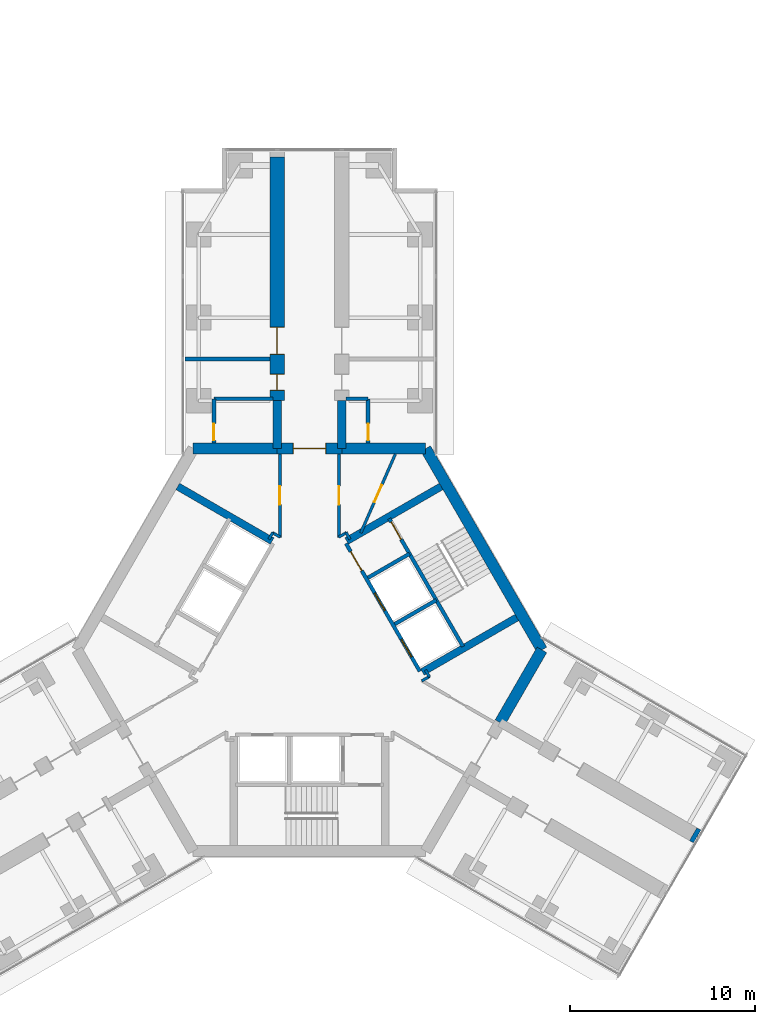
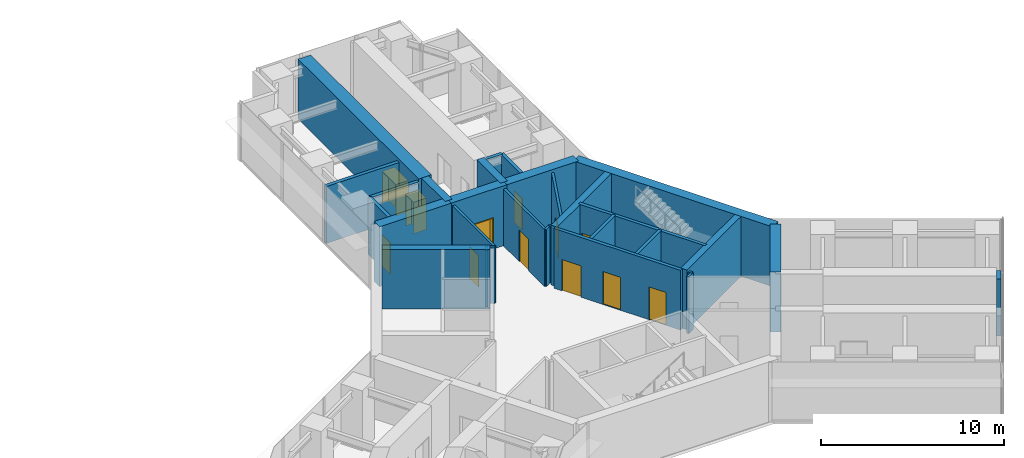
# One storey, part 19 of 21: 30 walls, 12 doors, 12 openings.
"""IFC4 building model written with IfcOpenShell, lengths in metres."""

from ifc_helpers import new_model, si_unit, direction, frame, frame_2d, origin, place, context, subcontext, project, spatial, rectangle, extrude, material, layer, layer_set, type_object, element, fill, save


model = new_model("IFC4")

# Units and contexts
model_context = context("Model", 3, precision=1e-05, world=origin(), true_north=direction((0.0, 1.0)))
body_context = subcontext(model_context, "Body", "Model", "MODEL_VIEW")
ifc_project = project(units=[si_unit("LENGTHUNIT", "METRE"), si_unit("AREAUNIT", "SQUARE_METRE"), si_unit("VOLUMEUNIT", "CUBIC_METRE"), si_unit("PLANEANGLEUNIT", "RADIAN"), si_unit("MASSUNIT", "GRAM", prefix="KILO")], contexts=[model_context])

# Site, building, storey
site_placement = place(None, origin())
site = spatial("IfcSite", under=ifc_project, at=site_placement, CompositionType="ELEMENT")
building_placement = place(site_placement, origin())
building = spatial("IfcBuilding", under=site, at=building_placement, Name="Upepo Twin Towers", CompositionType="ELEMENT")
storey_placement = place(building_placement, frame((0.0, 0.0, 105.5)))
storey = spatial("IfcBuildingStorey", under=building, at=storey_placement, Name="L25", CompositionType="ELEMENT", Elevation=105.5)

# Wall
ifc_material_1 = material(Name="Concrete blockwork, plastered both faces", Category="masonry")
ifc_layer_1 = layer(ifc_material_1, 0.215087890625)
ifc_layer_set_1 = layer_set([ifc_layer_1], Name="Blockwork partition 215")
wall_type_1 = type_object("IfcWallType", Name="Blockwork partition 215", PredefinedType="PARTITIONING", material=ifc_layer_set_1)
wall_1_placement = place(storey_placement, frame((56.35009765625, -2.25, 0.0), z_axis=(0.0, 0.0, 1.0), x_axis=(-1.0, 0.0, 0.0)))
element("IfcWall", 1, at=wall_1_placement, inside=storey, type_object=wall_type_1, Name="T2 partition AL at 15.75", PredefinedType="PARTITIONING", context=body_context, shape_type="SweptSolid", body=[
    extrude(rectangle(XDim=4.60009765625, YDim=0.215087890625, at=frame_2d((2.300048828125, 0.0))), origin(), (0.0, 0.0, 1.0), 3.800048828125),
])

# Wall, opening, door
wall_2_placement = place(storey_placement, frame((53.324951171875, -6.7919921875, 0.0), z_axis=(0.0, 0.0, 1.0), x_axis=(0.0, 1.0, 0.0)))
wall_2 = element("IfcWall", 2, at=wall_2_placement, inside=storey, type_object=wall_type_1, Name="T2 WC bay partition AL at 11.21", PredefinedType="PARTITIONING", context=body_context, shape_type="SweptSolid", body=[
    extrude(rectangle(XDim=2.39990234375, YDim=0.215087890625, at=frame_2d((1.199951171875, 0.0))), origin(), (0.0, 0.0, 1.0), 3.800048828125),
])
opening_1_placement = place(wall_2_placement, frame((0.14990234375, 0.0, 0.0)))
opening_1 = element("IfcOpeningElement", 3, at=opening_1_placement, cuts=wall_2, Name="Opening D14", PredefinedType="OPENING", context=body_context, shape_type="SweptSolid", body=[
    extrude(rectangle(XDim=0.89990234375, YDim=2.10009765625, at=frame_2d((0.449951171875, 1.050048828125))), frame((0.0, 0.117431640625, 0.0), z_axis=(0.0, -1.0, 0.0), x_axis=(1.0, 0.0, 0.0)), (0.0, 0.0, 1.0), 0.235107421875),
])
ifc_material_2 = material(Name="Timber doorset", Category="wood")
door_type_1 = type_object("IfcDoorType", Name="Office door 900 FD30", OperationType="SINGLE_SWING_LEFT", PredefinedType="DOOR", material=ifc_material_2)
door_1_placement = place(opening_1_placement, origin())
door_1 = element("IfcDoor", 4, at=door_1_placement, inside=storey, type_object=door_type_1, Name="T2 L25 WC bay inner room door", OperationType="SINGLE_SWING_LEFT", OverallHeight=2.10009765625, OverallWidth=0.89990234375, PredefinedType="DOOR", context=body_context, shape_type="SweptSolid", body=[
    extrude(rectangle(XDim=0.89990234375, YDim=2.10009765625, at=frame_2d((0.449951171875, 1.050048828125))), frame((0.0, 0.02490234375, 0.0), z_axis=(0.0, -1.0, 0.0), x_axis=(1.0, 0.0, 0.0)), (0.0, 0.0, 1.0), 0.050048828125),
])
fill(opening_1, door_1)

# Wall
wall_3_placement = place(storey_placement, frame((56.52490234375, -4.39208984375, 0.0), z_axis=(0.0, 0.0, 1.0), x_axis=(-1.0, 0.0, 0.0)))
element("IfcWall", 5, at=wall_3_placement, inside=storey, type_object=wall_type_1, Name="T2 WC bay partition AL end at 13.61", PredefinedType="PARTITIONING", context=body_context, shape_type="SweptSolid", body=[
    extrude(rectangle(XDim=3.199951171875, YDim=0.215087890625, at=frame_2d((1.60009765625, 0.0))), origin(), (0.0, 0.0, 1.0), 3.800048828125),
])

# Wall, opening, door
wall_4_placement = place(storey_placement, frame((61.675048828125, -6.7919921875, 0.0), z_axis=(0.0, 0.0, 1.0), x_axis=(0.0, 1.0, 0.0)))
wall_4 = element("IfcWall", 6, at=wall_4_placement, inside=storey, type_object=wall_type_1, Name="T2 WC bay partition AR at 11.21", PredefinedType="PARTITIONING", context=body_context, shape_type="SweptSolid", body=[
    extrude(rectangle(XDim=2.39990234375, YDim=0.215087890625, at=frame_2d((1.199951171875, 0.0))), origin(), (0.0, 0.0, 1.0), 3.800048828125),
])
opening_2_placement = place(wall_4_placement, frame((0.14990234375, 0.0, 0.0)))
opening_2 = element("IfcOpeningElement", 7, at=opening_2_placement, cuts=wall_4, Name="Opening D14", PredefinedType="OPENING", context=body_context, shape_type="SweptSolid", body=[
    extrude(rectangle(XDim=0.89990234375, YDim=2.10009765625, at=frame_2d((0.449951171875, 1.050048828125))), frame((0.0, 0.117431640625, 0.0), z_axis=(0.0, -1.0, 0.0), x_axis=(1.0, 0.0, 0.0)), (0.0, 0.0, 1.0), 0.235107421875),
])
door_2_placement = place(opening_2_placement, origin())
door_2 = element("IfcDoor", 8, at=door_2_placement, inside=storey, type_object=door_type_1, Name="T2 L25 WC bay inner room door", OperationType="SINGLE_SWING_LEFT", OverallHeight=2.10009765625, OverallWidth=0.89990234375, PredefinedType="DOOR", context=body_context, shape_type="SweptSolid", body=[
    extrude(rectangle(XDim=0.89990234375, YDim=2.10009765625, at=frame_2d((0.449951171875, 1.050048828125))), frame((0.0, 0.02490234375, 0.0), z_axis=(0.0, -1.0, 0.0), x_axis=(1.0, 0.0, 0.0)), (0.0, 0.0, 1.0), 0.050048828125),
])
fill(opening_2, door_2)

# Walls
wall_5_placement = place(storey_placement, frame((60.47509765625, -4.39208984375, 0.0), z_axis=(0.0, 0.0, 1.0), x_axis=(1.0, 0.0, 0.0)))
element("IfcWall", 9, at=wall_5_placement, inside=storey, type_object=wall_type_1, Name="T2 WC bay partition AR end at 13.61", PredefinedType="PARTITIONING", context=body_context, shape_type="SweptSolid", body=[
    extrude(rectangle(XDim=1.199951171875, YDim=0.215087890625, at=frame_2d((0.60009765625, 0.0))), origin(), (0.0, 0.0, 1.0), 3.800048828125),
])
ifc_material_3 = material(Name="Dense concrete blockwork", Category="masonry")
ifc_layer_2 = layer(ifc_material_3, 0.800048828125)
ifc_layer_set_2 = layer_set([ifc_layer_2], Name="Buttress closer 800, blockwork with fire-stopping to the curtain wall")
wall_type_2 = type_object("IfcWallType", Name="Buttress closer 800, blockwork with fire-stopping to the curtain wall", PredefinedType="PARTITIONING", material=ifc_layer_set_2)
wall_6_placement = place(storey_placement, frame((79.293701171875, -27.984375, 0.0), z_axis=(0.0, 0.0, 1.0), x_axis=(0.865827443207, -0.500342721131, 0.0)))
element("IfcWall", 10, at=wall_6_placement, inside=storey, type_object=wall_type_2, Name="T2 L25 wing C buttress closer L", PredefinedType="PARTITIONING", context=body_context, shape_type="SweptSolid", body=[
    extrude(rectangle(XDim=0.249755859375, YDim=0.800048828125, at=frame_2d((0.125, 0.0))), origin(), (0.0, 0.0, 1.0), 3.800048828125),
])
ifc_material_4 = material(Name="Concrete C60/75", Category="concrete")
ifc_layer_3 = layer(ifc_material_4, 0.449951171875)
ifc_layer_set_3 = layer_set([ifc_layer_3], Name="Concrete C60/75")
wall_type_3 = type_object("IfcWallType", Name="Buttress wall 450 RC", PredefinedType="SHEAR", material=ifc_layer_set_3)
for number, where, z_axis, x_axis, name in (
    (11, (56.75, -7.091552734375, 0.0), (0.0, 0.0, 1.0), (0.0, 1.0, 0.0), "T2 wing A buttress wall L"),
    (12, (60.25, -7.091552734375, 0.0), (0.0, 0.0, 1.0), (0.0, 1.0, 0.0), "T2 wing A buttress wall R"),
):
    element("IfcWall", number, at=place(storey_placement, frame(where, z_axis=z_axis, x_axis=x_axis)), inside=storey, type_object=wall_type_3, Name=name, PredefinedType="SHEAR", context=body_context, shape_type="SweptSolid", body=[
        extrude(rectangle(XDim=2.591552734375, YDim=0.449951171875, at=frame_2d((1.2958984375, 0.0))), origin(), (0.0, 0.0, 1.0), 4.0),
    ])

# Wall, openings, doors
ifc_material_5 = material(Name="Concrete C60/75", Category="concrete")
ifc_layer_4 = layer(ifc_material_5, 0.800048828125)
ifc_layer_set_4 = layer_set([ifc_layer_4], Name="Concrete C60/75")
wall_type_4 = type_object("IfcWallType", Name="Buttress wall 800 RC", PredefinedType="SHEAR", material=ifc_layer_set_4)
wall_7_placement = place(storey_placement, frame((56.75, -4.5, 0.0), z_axis=(0.0, 0.0, 1.0), x_axis=(0.0, 1.0, 0.0)))
wall_7 = element("IfcWall", 13, at=wall_7_placement, inside=storey, type_object=wall_type_4, Name="T2 wing A buttress wall L part 2", PredefinedType="SHEAR", context=body_context, shape_type="SweptSolid", body=[
    extrude(rectangle(XDim=13.199951171875, YDim=0.800048828125, at=frame_2d((6.60009765625, 0.0))), origin(), (0.0, 0.0, 1.0), 4.0),
])
opening_3_placement = place(wall_7_placement, frame((0.550048828125, 0.0, 0.0)))
opening_3 = element("IfcOpeningElement", 14, at=opening_3_placement, cuts=wall_7, Name="Opening D11", PredefinedType="OPENING", context=body_context, shape_type="SweptSolid", body=[
    extrude(rectangle(XDim=0.89990234375, YDim=2.10009765625, at=frame_2d((0.449951171875, 1.050048828125))), frame((0.0, 0.409912109375, 0.0), z_axis=(0.0, -1.0, 0.0), x_axis=(1.0, 0.0, 0.0)), (0.0, 0.0, 1.0), 0.820068359375),
])
opening_4_placement = place(wall_7_placement, frame((2.5, 0.0, 0.0)))
opening_4 = element("IfcOpeningElement", 15, at=opening_4_placement, cuts=wall_7, Name="Opening D13", PredefinedType="OPENING", context=body_context, shape_type="SweptSolid", body=[
    extrude(rectangle(XDim=1.5, YDim=2.10009765625, at=frame_2d((0.75, 1.050048828125))), frame((0.0, 0.409912109375, 0.0), z_axis=(0.0, -1.0, 0.0), x_axis=(1.0, 0.0, 0.0)), (0.0, 0.0, 1.0), 0.820068359375),
])
ifc_material_6 = material(Name="Timber doorset", Category="wood")
door_type_2 = type_object("IfcDoorType", Name="Double door 1500 FD30", OperationType="DOUBLE_DOOR_SINGLE_SWING", PredefinedType="DOOR", material=ifc_material_6)
door_3_placement = place(opening_4_placement, origin())
door_3 = element("IfcDoor", 16, at=door_3_placement, inside=storey, type_object=door_type_2, Name="T2 L25 moot court door", OperationType="DOUBLE_DOOR_SINGLE_SWING", OverallHeight=2.10009765625, OverallWidth=1.5, PredefinedType="DOOR", context=body_context, shape_type="SweptSolid", body=[
    extrude(rectangle(XDim=1.42, YDim=2.06009765625, at=frame_2d((0.75, 1.030029296875))), frame((0.0, 0.02490234375, 0.0), z_axis=(0.0, -1.0, 0.0), x_axis=(1.0, 0.0, 0.0)), (0.0, 0.0, 1.0), 0.050048828125),
    extrude(rectangle(XDim=0.04, YDim=2.10009765625, at=frame_2d((0.02001953125, 1.050048828125))), frame((0.0, 0.39990234375, 0.0), z_axis=(0.0, -1.0, 0.0), x_axis=(1.0, 0.0, 0.0)), (0.0, 0.0, 1.0), 0.799560546875),
    extrude(rectangle(XDim=0.04, YDim=2.10009765625, at=frame_2d((1.47998046875, 1.050048828125))), frame((0.0, 0.39990234375, 0.0), z_axis=(0.0, -1.0, 0.0), x_axis=(1.0, 0.0, 0.0)), (0.0, 0.0, 1.0), 0.799560546875),
    extrude(rectangle(XDim=1.42, YDim=0.04, at=frame_2d((0.75, 2.080078125))), frame((0.0, 0.39990234375, 0.0), z_axis=(0.0, -1.0, 0.0), x_axis=(1.0, 0.0, 0.0)), (0.0, 0.0, 1.0), 0.799560546875),
])
fill(opening_4, door_3)
ifc_material_7 = material(Name="Timber doorset", Category="wood")
door_type_3 = type_object("IfcDoorType", Name="Toilet door 900", OperationType="SINGLE_SWING_LEFT", PredefinedType="DOOR", material=ifc_material_7)
door_4_placement = place(opening_3_placement, origin())
door_4 = element("IfcDoor", 17, at=door_4_placement, inside=storey, type_object=door_type_3, Name="T2 L25 accessible wc door", OperationType="SINGLE_SWING_LEFT", OverallHeight=2.10009765625, OverallWidth=0.89990234375, PredefinedType="DOOR", context=body_context, shape_type="SweptSolid", body=[
    extrude(rectangle(XDim=0.81990234375, YDim=2.06009765625, at=frame_2d((0.449951171875, 1.030029296875))), frame((0.0, 0.02490234375, 0.0), z_axis=(0.0, -1.0, 0.0), x_axis=(1.0, 0.0, 0.0)), (0.0, 0.0, 1.0), 0.050048828125),
    extrude(rectangle(XDim=0.04, YDim=2.10009765625, at=frame_2d((0.02001953125, 1.050048828125))), frame((0.0, 0.39990234375, 0.0), z_axis=(0.0, -1.0, 0.0), x_axis=(1.0, 0.0, 0.0)), (0.0, 0.0, 1.0), 0.799560546875),
    extrude(rectangle(XDim=0.04, YDim=2.10009765625, at=frame_2d((0.8798828125, 1.050048828125))), frame((0.0, 0.39990234375, 0.0), z_axis=(0.0, -1.0, 0.0), x_axis=(1.0, 0.0, 0.0)), (0.0, 0.0, 1.0), 0.799560546875),
    extrude(rectangle(XDim=0.81990234375, YDim=0.04, at=frame_2d((0.449951171875, 2.080078125))), frame((0.0, 0.39990234375, 0.0), z_axis=(0.0, -1.0, 0.0), x_axis=(1.0, 0.0, 0.0)), (0.0, 0.0, 1.0), 0.799560546875),
])
fill(opening_3, door_4)

# Wall
ifc_material_8 = material(Name="Concrete C60/75", Category="concrete")
ifc_layer_5 = layer(ifc_material_8, 0.60009765625)
ifc_layer_set_5 = layer_set([ifc_layer_5], Name="Concrete C60/75")
wall_type_5 = type_object("IfcWallType", Name="Core wall 600 RC", PredefinedType="SHEAR", material=ifc_layer_set_5)
wall_8_placement = place(storey_placement, frame((64.7978515625, -7.091552734375, 0.0), z_axis=(0.0, 0.0, 1.0), x_axis=(-1.0, 0.0, 0.0)))
element("IfcWall", 18, at=wall_8_placement, inside=storey, type_object=wall_type_5, Name="T2 core wall 000 R", PredefinedType="SHEAR", context=body_context, shape_type="SweptSolid", body=[
    extrude(rectangle(XDim=4.5478515625, YDim=0.60009765625, at=frame_2d((2.27392578125, 0.0))), origin(), (0.0, 0.0, 1.0), 4.0),
])

# Wall, opening, door
wall_9_placement = place(storey_placement, frame((60.25, -7.091552734375, 0.0), z_axis=(0.0, 0.0, 1.0), x_axis=(-1.0, 0.0, 0.0)))
wall_9 = element("IfcWall", 19, at=wall_9_placement, inside=storey, type_object=wall_type_5, Name="T2 core wall 000", PredefinedType="SHEAR", context=body_context, shape_type="SweptSolid", body=[
    extrude(rectangle(XDim=3.5, YDim=0.60009765625, at=frame_2d((1.75, 0.0))), origin(), (0.0, 0.0, 1.0), 4.0),
])
opening_5_placement = place(wall_9_placement, frame((0.85009765625, 0.0, 0.0)))
opening_5 = element("IfcOpeningElement", 20, at=opening_5_placement, cuts=wall_9, Name="Opening D2", PredefinedType="OPENING", context=body_context, shape_type="SweptSolid", body=[
    extrude(rectangle(XDim=1.800048828125, YDim=2.10009765625, at=frame_2d((0.89990234375, 1.050048828125))), frame((0.0, 0.31005859375, 0.0), z_axis=(0.0, -1.0, 0.0), x_axis=(1.0, 0.0, 0.0)), (0.0, 0.0, 1.0), 0.6201171875),
])
ifc_material_9 = material(Name="Timber doorset", Category="wood")
door_type_4 = type_object("IfcDoorType", Name="Corridor double door 1800 FD60", OperationType="DOUBLE_DOOR_DOUBLE_SWING", PredefinedType="DOOR", material=ifc_material_9)
door_5_placement = place(opening_5_placement, origin())
door_5 = element("IfcDoor", 21, at=door_5_placement, inside=storey, type_object=door_type_4, Name="T2 L25 wing A corridor door", OperationType="DOUBLE_DOOR_DOUBLE_SWING", OverallHeight=2.10009765625, OverallWidth=1.800048828125, PredefinedType="DOOR", context=body_context, shape_type="SweptSolid", body=[
    extrude(rectangle(XDim=1.720048828125, YDim=2.06009765625, at=frame_2d((0.89990234375, 1.030029296875))), frame((0.0, 0.02490234375, 0.0), z_axis=(0.0, -1.0, 0.0), x_axis=(1.0, 0.0, 0.0)), (0.0, 0.0, 1.0), 0.050048828125),
    extrude(rectangle(XDim=0.04, YDim=2.10009765625, at=frame_2d((0.02001953125, 1.050048828125))), frame((0.0, 0.2998046875, 0.0), z_axis=(0.0, -1.0, 0.0), x_axis=(1.0, 0.0, 0.0)), (0.0, 0.0, 1.0), 0.599609375),
    extrude(rectangle(XDim=0.04, YDim=2.10009765625, at=frame_2d((1.780029296875, 1.050048828125))), frame((0.0, 0.2998046875, 0.0), z_axis=(0.0, -1.0, 0.0), x_axis=(1.0, 0.0, 0.0)), (0.0, 0.0, 1.0), 0.599609375),
    extrude(rectangle(XDim=1.720048828125, YDim=0.04, at=frame_2d((0.89990234375, 2.080078125))), frame((0.0, 0.2998046875, 0.0), z_axis=(0.0, -1.0, 0.0), x_axis=(1.0, 0.0, 0.0)), (0.0, 0.0, 1.0), 0.599609375),
])
fill(opening_5, door_5)

# Walls
wall_10_placement = place(storey_placement, frame((56.75, -7.091552734375, 0.0), z_axis=(0.0, 0.0, 1.0), x_axis=(-1.0, 0.0, 0.0)))
element("IfcWall", 22, at=wall_10_placement, inside=storey, type_object=wall_type_5, Name="T2 core wall 000 L", PredefinedType="SHEAR", context=body_context, shape_type="SweptSolid", body=[
    extrude(rectangle(XDim=4.5478515625, YDim=0.60009765625, at=frame_2d((2.27392578125, 0.0))), origin(), (0.0, 0.0, 1.0), 4.0),
])
wall_11_placement = place(storey_placement, frame((68.82177734375, -21.938720703125, 0.0), z_axis=(0.0, 0.0, 1.0), x_axis=(0.500024481964, 0.866011268655, 0.0)))
element("IfcWall", 23, at=wall_11_placement, inside=storey, type_object=wall_type_5, Name="T2 core wall 240 L", PredefinedType="SHEAR", context=body_context, shape_type="SweptSolid", body=[
    extrude(rectangle(XDim=4.548095703125, YDim=0.60009765625, at=frame_2d((2.27392578125, 0.0))), origin(), (0.0, 0.0, 1.0), 4.0),
])
wall_12_placement = place(storey_placement, frame((71.095947265625, -18.0, 0.0), z_axis=(0.0, 0.0, 1.0), x_axis=(-0.500005998175, 0.866021940709, 0.0)))
element("IfcWall", 24, at=wall_12_placement, inside=storey, type_object=wall_type_5, Name="T2 core wall 300", PredefinedType="SHEAR", context=body_context, shape_type="SweptSolid", body=[
    extrude(rectangle(XDim=12.595947265625, YDim=0.60009765625, at=frame_2d((6.2978515625, 0.0))), origin(), (0.0, 0.0, 1.0), 4.0),
])

# Wall, openings, doors
ifc_material_10 = material(Name="Concrete C40/50", Category="concrete")
ifc_layer_6 = layer(ifc_material_10, 0.199951171875)
ifc_layer_set_6 = layer_set([ifc_layer_6], Name="Concrete C40/50")
wall_type_6 = type_object("IfcWallType", Name="Shaft wall 200 RC", PredefinedType="SHEAR", material=ifc_layer_set_6)
wall_13_placement = place(storey_placement, frame((64.483642578125, -19.1640625, 0.0), z_axis=(0.0, 0.0, 1.0), x_axis=(-0.49999894854, 0.866026010844, 0.0)))
wall_13 = element("IfcWall", 25, at=wall_13_placement, inside=storey, type_object=wall_type_6, Name="T2 core W300 front wall", PredefinedType="SHEAR", context=body_context, shape_type="SweptSolid", body=[
    extrude(rectangle(XDim=8.0, YDim=0.199951171875, at=frame_2d((4.0, 0.0))), origin(), (0.0, 0.0, 1.0), 4.0),
])
opening_6_placement = place(wall_13_placement, frame((6.300048828125, 0.0, 0.0)))
opening_6 = element("IfcOpeningElement", 26, at=opening_6_placement, cuts=wall_13, Name="Opening D4", PredefinedType="OPENING", context=body_context, shape_type="SweptSolid", body=[
    extrude(rectangle(XDim=1.199951171875, YDim=2.10009765625, at=frame_2d((0.60009765625, 1.050048828125))), frame((0.0, 0.10986328125, 0.0), z_axis=(0.0, -1.0, 0.0), x_axis=(1.0, 0.0, 0.0)), (0.0, 0.0, 1.0), 0.219970703125),
])
opening_7_placement = place(wall_13_placement, frame((0.89990234375, 0.0, 0.0)))
opening_7 = element("IfcOpeningElement", 27, at=opening_7_placement, cuts=wall_13, Name="Opening LD1", PredefinedType="OPENING", context=body_context, shape_type="SweptSolid", body=[
    extrude(rectangle(XDim=1.10009765625, YDim=2.199951171875, at=frame_2d((0.550048828125, 1.10009765625))), frame((0.0, 0.10986328125, 0.0), z_axis=(0.0, -1.0, 0.0), x_axis=(1.0, 0.0, 0.0)), (0.0, 0.0, 1.0), 0.219970703125),
])
opening_8_placement = place(wall_13_placement, frame((3.800048828125, 0.0, 0.0)))
opening_8 = element("IfcOpeningElement", 28, at=opening_8_placement, cuts=wall_13, Name="Opening LD1", PredefinedType="OPENING", context=body_context, shape_type="SweptSolid", body=[
    extrude(rectangle(XDim=1.10009765625, YDim=2.199951171875, at=frame_2d((0.550048828125, 1.10009765625))), frame((0.0, 0.10986328125, 0.0), z_axis=(0.0, -1.0, 0.0), x_axis=(1.0, 0.0, 0.0)), (0.0, 0.0, 1.0), 0.219970703125),
])
ifc_material_11 = material(Name="Steel doorset", Category="steel")
door_type_5 = type_object("IfcDoorType", Name="Lift landing door 1100", OperationType="DOUBLE_DOOR_SLIDING", PredefinedType="DOOR", material=ifc_material_11)
door_6_placement = place(opening_7_placement, origin())
door_6 = element("IfcDoor", 29, at=door_6_placement, inside=storey, type_object=door_type_5, Name="T2 L25 lift ML1 landing door", OperationType="DOUBLE_DOOR_SLIDING", OverallHeight=2.199951171875, OverallWidth=1.10009765625, PredefinedType="DOOR", context=body_context, shape_type="SweptSolid", body=[
    extrude(rectangle(XDim=1.10009765625, YDim=2.199951171875, at=frame_2d((0.550048828125, 1.10009765625))), frame((0.0, 0.02490234375, 0.0), z_axis=(0.0, -1.0, 0.0), x_axis=(1.0, 0.0, 0.0)), (0.0, 0.0, 1.0), 0.050048828125),
])
fill(opening_7, door_6)
door_7_placement = place(opening_8_placement, origin())
door_7 = element("IfcDoor", 30, at=door_7_placement, inside=storey, type_object=door_type_5, Name="T2 L25 lift ML2 landing door", OperationType="DOUBLE_DOOR_SLIDING", OverallHeight=2.199951171875, OverallWidth=1.10009765625, PredefinedType="DOOR", context=body_context, shape_type="SweptSolid", body=[
    extrude(rectangle(XDim=1.10009765625, YDim=2.199951171875, at=frame_2d((0.550048828125, 1.10009765625))), frame((0.0, 0.02490234375, 0.0), z_axis=(0.0, -1.0, 0.0), x_axis=(1.0, 0.0, 0.0)), (0.0, 0.0, 1.0), 0.050048828125),
])
fill(opening_8, door_7)
ifc_material_12 = material(Name="Timber doorset", Category="wood")
door_type_6 = type_object("IfcDoorType", Name="Lobby door 1200 FD60", OperationType="SINGLE_SWING_LEFT", PredefinedType="DOOR", material=ifc_material_12)
door_8_placement = place(opening_6_placement, origin())
door_8 = element("IfcDoor", 31, at=door_8_placement, inside=storey, type_object=door_type_6, Name="T2 L25 W300 lobby door", OperationType="SINGLE_SWING_RIGHT", OverallHeight=2.10009765625, OverallWidth=1.199951171875, PredefinedType="DOOR", context=body_context, shape_type="SweptSolid", body=[
    extrude(rectangle(XDim=1.199951171875, YDim=2.10009765625, at=frame_2d((0.60009765625, 1.050048828125))), frame((0.0, 0.02490234375, 0.0), z_axis=(0.0, -1.0, 0.0), x_axis=(1.0, 0.0, 0.0)), (0.0, 0.0, 1.0), 0.050048828125),
])
fill(opening_6, door_8)

# Walls
wall_14_placement = place(storey_placement, frame((63.120361328125, -16.6025390625, 0.0), z_axis=(0.0, 0.0, 1.0), x_axis=(0.866062058628, 0.499936506574, 0.0)))
element("IfcWall", 32, at=wall_14_placement, inside=storey, type_object=wall_type_6, Name="T2 core W300 shaft divider", PredefinedType="SHEAR", context=body_context, shape_type="SweptSolid", body=[
    extrude(rectangle(XDim=2.599853515625, YDim=0.199951171875, at=frame_2d((1.2998046875, 0.0))), origin(), (0.0, 0.0, 1.0), 4.0),
])
wall_15_placement = place(storey_placement, frame((61.67041015625, -14.091064453125, 0.0), z_axis=(0.0, 0.0, 1.0), x_axis=(0.86603858612, 0.49997716683, 0.0)))
element("IfcWall", 33, at=wall_15_placement, inside=storey, type_object=wall_type_6, Name="T2 core W300 lobby wall", PredefinedType="SHEAR", context=body_context, shape_type="SweptSolid", body=[
    extrude(rectangle(XDim=2.599609375, YDim=0.199951171875, at=frame_2d((1.2998046875, 0.0))), origin(), (0.0, 0.0, 1.0), 4.0),
])

# Wall, opening, door
wall_16_placement = place(storey_placement, frame((66.822021484375, -17.814208984375, 0.0), z_axis=(0.0, 0.0, 1.0), x_axis=(-0.49999894854, 0.866026010844, 0.0)))
wall_16 = element("IfcWall", 34, at=wall_16_placement, inside=storey, type_object=wall_type_6, Name="T2 core W300 stair wall", PredefinedType="SHEAR", context=body_context, shape_type="SweptSolid", body=[
    extrude(rectangle(XDim=8.0, YDim=0.199951171875, at=frame_2d((4.0, 0.0))), origin(), (0.0, 0.0, 1.0), 4.0),
])
opening_9_placement = place(wall_16_placement, frame((6.699951171875, 0.0, 0.0)))
opening_9 = element("IfcOpeningElement", 35, at=opening_9_placement, cuts=wall_16, Name="Opening D3", PredefinedType="OPENING", context=body_context, shape_type="SweptSolid", body=[
    extrude(rectangle(XDim=1.10009765625, YDim=2.10009765625, at=frame_2d((0.550048828125, 1.050048828125))), frame((0.0, 0.10986328125, 0.0), z_axis=(0.0, -1.0, 0.0), x_axis=(1.0, 0.0, 0.0)), (0.0, 0.0, 1.0), 0.219970703125),
])
ifc_material_13 = material(Name="Timber doorset", Category="wood")
door_type_7 = type_object("IfcDoorType", Name="Stair door 1100 FD60", OperationType="SINGLE_SWING_LEFT", PredefinedType="DOOR", material=ifc_material_13)
door_9_placement = place(opening_9_placement, origin())
door_9 = element("IfcDoor", 36, at=door_9_placement, inside=storey, type_object=door_type_7, Name="T2 L25 stair door", OperationType="SINGLE_SWING_RIGHT", OverallHeight=2.10009765625, OverallWidth=1.10009765625, PredefinedType="DOOR", context=body_context, shape_type="SweptSolid", body=[
    extrude(rectangle(XDim=1.10009765625, YDim=2.10009765625, at=frame_2d((0.550048828125, 1.050048828125))), frame((0.0, 0.02490234375, 0.0), z_axis=(0.0, -1.0, 0.0), x_axis=(1.0, 0.0, 0.0)), (0.0, 0.0, 1.0), 0.050048828125),
])
fill(opening_9, door_9)

# Walls
ifc_material_14 = material(Name="Concrete C40/50", Category="concrete")
ifc_layer_7 = layer(ifc_material_14, 0.39990234375)
ifc_layer_set_7 = layer_set([ifc_layer_7], Name="Concrete C40/50")
wall_type_7 = type_object("IfcWallType", Name="Shaft wall 400 RC", PredefinedType="SHEAR", material=ifc_layer_set_7)
for number, where, z_axis, x_axis, name in (
    (37, (56.479736328125, -12.099365234375, 0.0), (0.0, 0.0, 1.0), (-0.866009424208, 0.500027676417, 0.0), "T2 core W60 side wall S"),
    (38, (60.520263671875, -12.099365234375, 0.0), (0.0, 0.0, 1.0), (0.866009424208, 0.500027676417, 0.0), "T2 core W300 side wall N"),
):
    element("IfcWall", number, at=place(storey_placement, frame(where, z_axis=z_axis, x_axis=x_axis)), inside=storey, type_object=wall_type_7, Name=name, PredefinedType="SHEAR", context=body_context, shape_type="SweptSolid", body=[
        extrude(rectangle(XDim=5.908447265625, YDim=0.39990234375, at=frame_2d((2.9541015625, 0.0))), origin(), (0.0, 0.0, 1.0), 4.0),
    ])
wall_17_placement = place(storey_placement, frame((64.620361328125, -19.20068359375, 0.0), z_axis=(0.0, 0.0, 1.0), x_axis=(0.866027317282, 0.49999668571, 0.0)))
element("IfcWall", 39, at=wall_17_placement, inside=storey, type_object=wall_type_7, Name="T2 core W300 side wall S", PredefinedType="SHEAR", context=body_context, shape_type="SweptSolid", body=[
    extrude(rectangle(XDim=5.908203125, YDim=0.39990234375, at=frame_2d((2.9541015625, 0.0))), origin(), (0.0, 0.0, 1.0), 4.0),
])
ifc_material_15 = material(Name="Gypsum board on steel studs", Category="steel")
ifc_layer_8 = layer(ifc_material_15, 0.14990234375)
ifc_layer_set_8 = layer_set([ifc_layer_8], Name="Teaching partition 150 acoustic")
wall_type_8 = type_object("IfcWallType", Name="Teaching partition 150 acoustic", PredefinedType="PARTITIONING", material=ifc_layer_set_8)
wall_18_placement = place(storey_placement, frame((56.301513671875, -12.0078125, 0.0), z_axis=(0.0, 0.0, 1.0), x_axis=(0.500230298122, 0.865892400268, 0.0)))
element("IfcWall", 40, at=wall_18_placement, inside=storey, type_object=wall_type_8, Name="T2 core room partition 6", PredefinedType="PARTITIONING", context=body_context, shape_type="SweptSolid", body=[
    extrude(rectangle(XDim=0.429931640625, YDim=0.14990234375, at=frame_2d((0.21484375, 0.0))), origin(), (0.0, 0.0, 1.0), 3.800048828125),
])
wall_19_placement = place(storey_placement, frame((56.4892578125, -11.642822265625, 0.0), z_axis=(0.0, 0.0, 1.0), x_axis=(0.865831790172, -0.50033519877, 0.0)))
element("IfcWall", 41, at=wall_19_placement, inside=storey, type_object=wall_type_8, Name="T2 core room partition 7", PredefinedType="PARTITIONING", context=body_context, shape_type="SweptSolid", body=[
    extrude(rectangle(XDim=0.494384765625, YDim=0.14990234375, at=frame_2d((0.2470703125, 0.0))), origin(), (0.0, 0.0, 1.0), 3.800048828125),
])

# Wall, opening, door
wall_20_placement = place(storey_placement, frame((56.89990234375, -11.900146484375, 0.0), z_axis=(0.0, 0.0, 1.0), x_axis=(0.0, 1.0, 0.0)))
wall_20 = element("IfcWall", 42, at=wall_20_placement, inside=storey, type_object=wall_type_8, Name="T2 core room partition 8", PredefinedType="PARTITIONING", context=body_context, shape_type="SweptSolid", body=[
    extrude(rectangle(XDim=4.5185546875, YDim=0.14990234375, at=frame_2d((2.25927734375, 0.0))), origin(), (0.0, 0.0, 1.0), 3.800048828125),
])
opening_10_placement = place(wall_20_placement, frame((1.769287109375, 0.0, 0.0)))
opening_10 = element("IfcOpeningElement", 43, at=opening_10_placement, cuts=wall_20, Name="Opening D1", PredefinedType="OPENING", context=body_context, shape_type="SweptSolid", body=[
    extrude(rectangle(XDim=1.0, YDim=2.10009765625, at=frame_2d((0.5, 1.050048828125))), frame((0.0, 0.0849609375, 0.0), z_axis=(0.0, -1.0, 0.0), x_axis=(1.0, 0.0, 0.0)), (0.0, 0.0, 1.0), 0.169921875),
])
ifc_material_16 = material(Name="Timber doorset", Category="wood")
door_type_8 = type_object("IfcDoorType", Name="Room door 1000 FD30", OperationType="SINGLE_SWING_LEFT", PredefinedType="DOOR", material=ifc_material_16)
door_10_placement = place(opening_10_placement, origin())
door_10 = element("IfcDoor", 44, at=door_10_placement, inside=storey, type_object=door_type_8, Name="T2 L25 core room door K7", OperationType="SINGLE_SWING_RIGHT", OverallHeight=2.10009765625, OverallWidth=1.0, PredefinedType="DOOR", context=body_context, shape_type="SweptSolid", body=[
    extrude(rectangle(XDim=1.0, YDim=2.10009765625, at=frame_2d((0.5, 1.050048828125))), frame((0.0, 0.02490234375, 0.0), z_axis=(0.0, -1.0, 0.0), x_axis=(1.0, 0.0, 0.0)), (0.0, 0.0, 1.0), 0.050048828125),
])
fill(opening_10, door_10)

wall_21_placement = place(storey_placement, frame((60.10009765625, -7.381591796875, 0.0), z_axis=(0.0, 0.0, 1.0), x_axis=(0.0, -1.0, 0.0)))
wall_21 = element("IfcWall", 45, at=wall_21_placement, inside=storey, type_object=wall_type_8, Name="T2 core room partition 9", PredefinedType="PARTITIONING", context=body_context, shape_type="SweptSolid", body=[
    extrude(rectangle(XDim=4.5185546875, YDim=0.14990234375, at=frame_2d((2.25927734375, 0.0))), origin(), (0.0, 0.0, 1.0), 3.800048828125),
])
opening_11_placement = place(wall_21_placement, frame((1.7490234375, 0.0, 0.0)))
opening_11 = element("IfcOpeningElement", 46, at=opening_11_placement, cuts=wall_21, Name="Opening D1", PredefinedType="OPENING", context=body_context, shape_type="SweptSolid", body=[
    extrude(rectangle(XDim=1.0, YDim=2.10009765625, at=frame_2d((0.5, 1.050048828125))), frame((0.0, 0.0849609375, 0.0), z_axis=(0.0, -1.0, 0.0), x_axis=(1.0, 0.0, 0.0)), (0.0, 0.0, 1.0), 0.169921875),
])
door_11_placement = place(opening_11_placement, origin())
door_11 = element("IfcDoor", 47, at=door_11_placement, inside=storey, type_object=door_type_8, Name="T2 L25 core room door K5", OperationType="SINGLE_SWING_LEFT", OverallHeight=2.10009765625, OverallWidth=1.0, PredefinedType="DOOR", context=body_context, shape_type="SweptSolid", body=[
    extrude(rectangle(XDim=1.0, YDim=2.10009765625, at=frame_2d((0.5, 1.050048828125))), frame((0.0, 0.02490234375, 0.0), z_axis=(0.0, -1.0, 0.0), x_axis=(1.0, 0.0, 0.0)), (0.0, 0.0, 1.0), 0.050048828125),
])
fill(opening_11, door_11)

# Walls
wall_22_placement = place(storey_placement, frame((60.082763671875, -11.89013671875, 0.0), z_axis=(0.0, 0.0, 1.0), x_axis=(0.865831790172, 0.50033519877, 0.0)))
element("IfcWall", 48, at=wall_22_placement, inside=storey, type_object=wall_type_8, Name="T2 core room partition 10", PredefinedType="PARTITIONING", context=body_context, shape_type="SweptSolid", body=[
    extrude(rectangle(XDim=0.494384765625, YDim=0.14990234375, at=frame_2d((0.2470703125, 0.0))), origin(), (0.0, 0.0, 1.0), 3.800048828125),
])
for number, where, z_axis, x_axis, name in (
    (49, (60.4833984375, -11.635498046875, 0.0), (0.0, 0.0, 1.0), (0.500230298122, -0.865892400268, 0.0), "T2 core room partition 11"),
    (50, (64.78857421875, -19.092041015625, 0.0), (0.0, 0.0, 1.0), (0.499804398801, -0.866138304741, 0.0), "T2 core room partition 12"),
):
    element("IfcWall", number, at=place(storey_placement, frame(where, z_axis=z_axis, x_axis=x_axis)), inside=storey, type_object=wall_type_8, Name=name, PredefinedType="PARTITIONING", context=body_context, shape_type="SweptSolid", body=[
        extrude(rectangle(XDim=0.429931640625, YDim=0.14990234375, at=frame_2d((0.21484375, 0.0))), origin(), (0.0, 0.0, 1.0), 3.800048828125),
    ])
wall_23_placement = place(storey_placement, frame((65.0107421875, -19.43701171875, 0.0), z_axis=(0.0, 0.0, 1.0), x_axis=(-0.865831790172, -0.50033519877, 0.0)))
element("IfcWall", 51, at=wall_23_placement, inside=storey, type_object=wall_type_8, Name="T2 core room partition 13", PredefinedType="PARTITIONING", context=body_context, shape_type="SweptSolid", body=[
    extrude(rectangle(XDim=0.494384765625, YDim=0.14990234375, at=frame_2d((0.2470703125, 0.0))), origin(), (0.0, 0.0, 1.0), 3.800048828125),
])

# Wall, opening, door
wall_24_placement = place(storey_placement, frame((61.281005859375, -11.66015625, 0.0), z_axis=(0.0, 0.0, 1.0), x_axis=(0.401686926791, 0.915777054116, 0.0)))
wall_24 = element("IfcWall", 52, at=wall_24_placement, inside=storey, type_object=wall_type_8, Name="T2 core room partition 19", PredefinedType="PARTITIONING", context=body_context, shape_type="SweptSolid", body=[
    extrude(rectangle(XDim=4.6611328125, YDim=0.14990234375, at=frame_2d((2.33056640625, 0.0))), origin(), (0.0, 0.0, 1.0), 3.800048828125),
])
opening_12_placement = place(wall_24_placement, frame((1.83056640625, 0.0, 0.0)))
opening_12 = element("IfcOpeningElement", 53, at=opening_12_placement, cuts=wall_24, Name="Opening D1", PredefinedType="OPENING", context=body_context, shape_type="SweptSolid", body=[
    extrude(rectangle(XDim=1.0, YDim=2.10009765625, at=frame_2d((0.5, 1.050048828125))), frame((0.0, 0.0849609375, 0.0), z_axis=(0.0, -1.0, 0.0), x_axis=(1.0, 0.0, 0.0)), (0.0, 0.0, 1.0), 0.169921875),
])
door_12_placement = place(opening_12_placement, origin())
door_12 = element("IfcDoor", 54, at=door_12_placement, inside=storey, type_object=door_type_8, Name="T2 L25 core room door K6", OperationType="SINGLE_SWING_LEFT", OverallHeight=2.10009765625, OverallWidth=1.0, PredefinedType="DOOR", context=body_context, shape_type="SweptSolid", body=[
    extrude(rectangle(XDim=1.0, YDim=2.10009765625, at=frame_2d((0.5, 1.050048828125))), frame((0.0, 0.02490234375, 0.0), z_axis=(0.0, -1.0, 0.0), x_axis=(1.0, 0.0, 0.0)), (0.0, 0.0, 1.0), 0.050048828125),
])
fill(opening_12, door_12)

save(model, "model.ifc")
